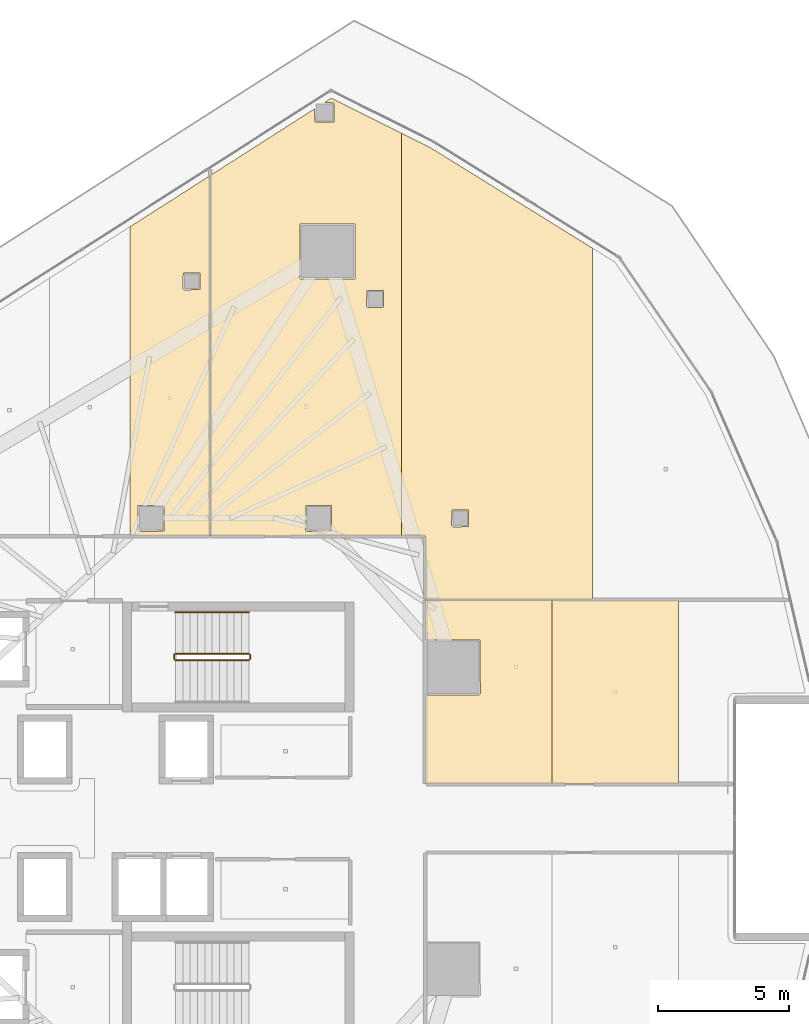
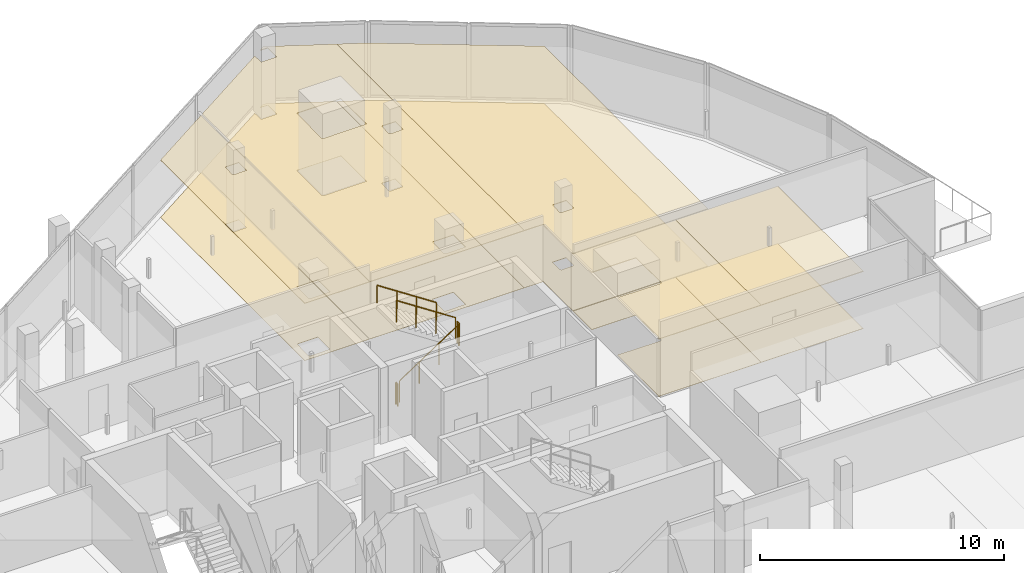
# One storey, part 36 of 37: 10 coverings, 5 railings.
"""IFC4 building model written with IfcOpenShell, lengths in metres."""

from ifc_helpers import new_model, si_unit, direction, frame, origin, origin_2d, place, context, subcontext, project, spatial, polyline, circle, outline, extrude, material, layer, layer_set, type_object, element, save


model = new_model("IFC4")

# Units and contexts
model_context = context("Model", 3, precision=1e-05, world=origin(), true_north=direction((0.0, 1.0)))
body_context = subcontext(model_context, "Body", "Model", "MODEL_VIEW")
ifc_project = project(units=[si_unit("LENGTHUNIT", "METRE"), si_unit("AREAUNIT", "SQUARE_METRE"), si_unit("VOLUMEUNIT", "CUBIC_METRE"), si_unit("PLANEANGLEUNIT", "RADIAN"), si_unit("MASSUNIT", "GRAM", prefix="KILO")], contexts=[model_context])

# Site, building, storey
site_placement = place(None, origin())
site = spatial("IfcSite", under=ifc_project, at=site_placement, CompositionType="ELEMENT")
building_placement = place(site_placement, origin())
building = spatial("IfcBuilding", under=site, at=building_placement, Name="Qorvath Tower", CompositionType="ELEMENT")
storey_placement = place(building_placement, frame((0.0, 0.0, 196.949951171875)))
storey = spatial("IfcBuildingStorey", under=building, at=storey_placement, Name="L45", CompositionType="ELEMENT", Elevation=196.949951171875)

# Coverings
ifc_material_1 = material(Name="Acoustic mineral fibre ceiling tile", Category="gypsum")
ifc_layer_1 = layer(ifc_material_1, 0.030029296875)
ifc_layer_set_1 = layer_set([ifc_layer_1], Name="COV-CEIL")
covering_type_1 = type_object("IfcCoveringType", Name="COV-CEIL", PredefinedType="CEILING", material=ifc_layer_set_1)
covering_1_placement = place(storey_placement, frame((0.0, 0.0, 2.85009765625)))
element("IfcCovering", 1, at=covering_1_placement, inside=storey, type_object=covering_type_1, Name="L45 Suspended Acoustic Ceiling 016", PredefinedType="CEILING", context=body_context, shape_type="SweptSolid", body=[
    extrude(outline(polyline([(-24.4140625, 22.565673828125), (-24.4140625, 10.762939453125), (-21.35107421875, 10.762939453125), (-21.35107421875, 24.523193359375), (-24.4140625, 22.565673828125)]), holes=[polyline([(-22.38818359375, 20.219970703125), (-22.37060546875, 20.812255859375), (-21.73583984375, 20.812255859375), (-21.73583984375, 20.177490234375), (-22.328125, 20.159912109375), (-22.38818359375, 20.219970703125)]), polyline([(-24.110107421875, 11.0), (-24.092529296875, 11.9423828125), (-23.107666015625, 11.9423828125), (-23.107666015625, 10.95751953125), (-24.050048828125, 10.93994140625), (-24.110107421875, 11.0)])]), origin(), (0.0, 0.0, 1.0), 0.030029296875),
])
covering_2_placement = place(storey_placement, frame((0.0, 0.0, 2.85009765625)))
element("IfcCovering", 2, at=covering_2_placement, inside=storey, type_object=covering_type_1, Name="L45 Suspended Acoustic Ceiling 017", PredefinedType="CEILING", context=body_context, shape_type="SweptSolid", body=[
    extrude(outline(polyline([(-14.041015625, 10.762939453125), (-14.041015625, 26.135009765625), (-16.7275390625, 27.478271484375), (-16.984130859375, 27.314208984375), (-16.61376953125, 27.296630859375), (-16.61376953125, 26.561767578125), (-17.3486328125, 26.561767578125), (-17.3662109375, 27.070068359375), (-21.3330078125, 24.53466796875), (-21.3330078125, 10.762939453125), (-14.041015625, 10.762939453125)]), holes=[polyline([(-15.381103515625, 19.543212890625), (-15.363525390625, 20.135498046875), (-14.728759765625, 20.135498046875), (-14.728759765625, 19.500732421875), (-15.321044921875, 19.483154296875), (-15.381103515625, 19.543212890625)]), polyline([(-17.931640625, 20.627197265625), (-17.9140625, 22.66943359375), (-15.829345703125, 22.66943359375), (-15.829345703125, 20.584716796875), (-17.87158203125, 20.567138671875), (-17.931640625, 20.627197265625)]), polyline([(-17.7099609375, 11.0), (-17.6923828125, 11.9423828125), (-16.70751953125, 11.9423828125), (-16.70751953125, 10.95751953125), (-17.64990234375, 10.93994140625), (-17.7099609375, 11.0)])]), origin(), (0.0, 0.0, 1.0), 0.030029296875),
])
covering_3_placement = place(storey_placement, frame((0.0, 0.0, 2.85009765625)))
element("IfcCovering", 3, at=covering_3_placement, inside=storey, type_object=covering_type_1, Name="L45 Suspended Acoustic Ceiling 018", PredefinedType="CEILING", context=body_context, shape_type="SweptSolid", body=[
    extrude(outline(polyline([(-6.749267578125, 8.347412109375), (-6.749267578125, 21.748779296875), (-12.900390625, 25.564697265625), (-14.041015625, 26.135009765625), (-14.041015625, 10.762939453125), (-13.14208984375, 10.762939453125), (-13.136962890625, 8.35498046875), (-6.749267578125, 8.347412109375)]), holes=[polyline([(-12.135009765625, 11.175048828125), (-12.117431640625, 11.767333984375), (-11.482666015625, 11.767333984375), (-11.482666015625, 11.132568359375), (-12.074951171875, 11.114990234375), (-12.135009765625, 11.175048828125)])]), origin(), (0.0, 0.0, 1.0), 0.030029296875),
])
covering_4_placement = place(storey_placement, frame((0.0, 0.0, 2.85009765625)))
element("IfcCovering", 4, at=covering_4_placement, inside=storey, type_object=covering_type_1, Name="L45 Suspended Acoustic Ceiling 031", PredefinedType="CEILING", context=body_context, shape_type="SweptSolid", body=[
    extrude(outline(polyline([(-8.3037109375, 1.31298828125), (-8.3037109375, 8.3310546875), (-13.136962890625, 8.3369140625), (-13.136962890625, 6.80126953125), (-11.054443359375, 6.80029296875), (-11.036865234375, 4.7578125), (-11.0966796875, 4.697998046875), (-13.136962890625, 4.714599609375), (-13.136962890625, 1.31298828125), (-8.3037109375, 1.31298828125)])), origin(), (0.0, 0.0, 1.0), 0.030029296875),
])
covering_5_placement = place(storey_placement, frame((0.0, 0.0, 2.85009765625)))
element("IfcCovering", 5, at=covering_5_placement, inside=storey, type_object=covering_type_1, Name="L45 Suspended Acoustic Ceiling 032", PredefinedType="CEILING", context=body_context, shape_type="SweptSolid", body=[
    extrude(outline(polyline([(-3.47021484375, 1.31298828125), (-3.47021484375, 8.325439453125), (-8.3037109375, 8.3310546875), (-8.3037109375, 1.31298828125), (-3.47021484375, 1.31298828125)])), origin(), (0.0, 0.0, 1.0), 0.030029296875),
])
ifc_material_2 = material(Name="Low-VOC modular carpet tile", Category="textile")
ifc_layer_2 = layer(ifc_material_2, 0.014892578125)
ifc_layer_set_2 = layer_set([ifc_layer_2], Name="COV-FLOOR-CPT")
covering_type_2 = type_object("IfcCoveringType", Name="COV-FLOOR-CPT", PredefinedType="FLOORING", material=ifc_layer_set_2)
covering_6_placement = place(storey_placement, origin())
element("IfcCovering", 6, at=covering_6_placement, inside=storey, type_object=covering_type_2, Name="L45 Floor Finish 016", PredefinedType="FLOORING", context=body_context, shape_type="SweptSolid", body=[
    extrude(outline(polyline([(-24.4140625, 22.565673828125), (-24.4140625, 10.762939453125), (-21.35107421875, 10.762939453125), (-21.35107421875, 24.523193359375), (-24.4140625, 22.565673828125)]), holes=[polyline([(-22.38818359375, 20.219970703125), (-22.37060546875, 20.812255859375), (-21.73583984375, 20.812255859375), (-21.73583984375, 20.177490234375), (-22.328125, 20.159912109375), (-22.38818359375, 20.219970703125)]), polyline([(-24.110107421875, 11.0), (-24.092529296875, 11.9423828125), (-23.107666015625, 11.9423828125), (-23.107666015625, 10.95751953125), (-24.050048828125, 10.93994140625), (-24.110107421875, 11.0)])]), origin(), (0.0, 0.0, 1.0), 0.01513671875),
])
covering_7_placement = place(storey_placement, origin())
element("IfcCovering", 7, at=covering_7_placement, inside=storey, type_object=covering_type_2, Name="L45 Floor Finish 017", PredefinedType="FLOORING", context=body_context, shape_type="SweptSolid", body=[
    extrude(outline(polyline([(-14.041015625, 10.762939453125), (-14.041015625, 26.135009765625), (-16.7275390625, 27.478271484375), (-16.984130859375, 27.314208984375), (-16.61376953125, 27.296630859375), (-16.61376953125, 26.561767578125), (-17.3486328125, 26.561767578125), (-17.3662109375, 27.070068359375), (-21.3330078125, 24.53466796875), (-21.3330078125, 10.762939453125), (-14.041015625, 10.762939453125)]), holes=[polyline([(-15.381103515625, 19.543212890625), (-15.363525390625, 20.135498046875), (-14.728759765625, 20.135498046875), (-14.728759765625, 19.500732421875), (-15.321044921875, 19.483154296875), (-15.381103515625, 19.543212890625)]), polyline([(-17.931640625, 20.627197265625), (-17.9140625, 22.66943359375), (-15.829345703125, 22.66943359375), (-15.829345703125, 20.584716796875), (-17.87158203125, 20.567138671875), (-17.931640625, 20.627197265625)]), polyline([(-17.7099609375, 11.0), (-17.6923828125, 11.9423828125), (-16.70751953125, 11.9423828125), (-16.70751953125, 10.95751953125), (-17.64990234375, 10.93994140625), (-17.7099609375, 11.0)])]), origin(), (0.0, 0.0, 1.0), 0.01513671875),
])
covering_8_placement = place(storey_placement, origin())
element("IfcCovering", 8, at=covering_8_placement, inside=storey, type_object=covering_type_2, Name="L45 Floor Finish 018", PredefinedType="FLOORING", context=body_context, shape_type="SweptSolid", body=[
    extrude(outline(polyline([(-6.749267578125, 8.347412109375), (-6.749267578125, 21.748779296875), (-12.900390625, 25.564697265625), (-14.041015625, 26.135009765625), (-14.041015625, 10.762939453125), (-13.14208984375, 10.762939453125), (-13.136962890625, 8.35498046875), (-6.749267578125, 8.347412109375)]), holes=[polyline([(-12.135009765625, 11.175048828125), (-12.117431640625, 11.767333984375), (-11.482666015625, 11.767333984375), (-11.482666015625, 11.132568359375), (-12.074951171875, 11.114990234375), (-12.135009765625, 11.175048828125)])]), origin(), (0.0, 0.0, 1.0), 0.01513671875),
])
covering_9_placement = place(storey_placement, origin())
element("IfcCovering", 9, at=covering_9_placement, inside=storey, type_object=covering_type_2, Name="L45 Floor Finish 031", PredefinedType="FLOORING", context=body_context, shape_type="SweptSolid", body=[
    extrude(outline(polyline([(-8.3037109375, 1.31298828125), (-8.3037109375, 8.3310546875), (-13.136962890625, 8.3369140625), (-13.136962890625, 6.80126953125), (-11.054443359375, 6.80029296875), (-11.036865234375, 4.7578125), (-11.0966796875, 4.697998046875), (-13.136962890625, 4.714599609375), (-13.136962890625, 1.31298828125), (-8.3037109375, 1.31298828125)])), origin(), (0.0, 0.0, 1.0), 0.01513671875),
])
covering_10_placement = place(storey_placement, origin())
element("IfcCovering", 10, at=covering_10_placement, inside=storey, type_object=covering_type_2, Name="L45 Floor Finish 032", PredefinedType="FLOORING", context=body_context, shape_type="SweptSolid", body=[
    extrude(outline(polyline([(-3.47021484375, 1.31298828125), (-3.47021484375, 8.325439453125), (-8.3037109375, 8.3310546875), (-8.3037109375, 1.31298828125), (-3.47021484375, 1.31298828125)])), origin(), (0.0, 0.0, 1.0), 0.01513671875),
])

# Railings
ifc_material_3 = material(Name="Painted galvanised steel", Category="steel")
railing_type_1 = type_object("IfcRailingType", Name="RL-STR-GRD", PredefinedType="GUARDRAIL", material=ifc_material_3)
railing_1_placement = place(storey_placement, frame((-22.669921875, 6.030029296875, 0.18408203125)))
element("IfcRailing", 11, at=railing_1_placement, inside=storey, type_object=railing_type_1, Name="L45 TS1 stair guard 1", PredefinedType="GUARDRAIL", context=body_context, shape_type="SweptSolid", body=[
    extrude(circle(Radius=0.02392578125, at=origin_2d()), frame((0.0, 0.0, 1.076171875), z_axis=(0.835542071712, 0.0, 0.549426470421), x_axis=(0.0, 1.0, 0.0)), (0.0, 0.0, 1.0), 3.350830078125),
    extrude(circle(Radius=0.02099609375, at=origin_2d()), origin(), (0.0, 0.0, 1.0), 1.052001953125),
    extrude(circle(Radius=0.02099609375, at=origin_2d()), frame((0.933349609375, 0.0, 0.61376953125)), (0.0, 0.0, 1.0), 1.052001953125),
    extrude(circle(Radius=0.02099609375, at=origin_2d()), frame((1.866455078125, 0.0, 1.227294921875)), (0.0, 0.0, 1.0), 1.052001953125),
    extrude(circle(Radius=0.02099609375, at=origin_2d()), frame((2.7998046875, 0.0, 1.841064453125)), (0.0, 0.0, 1.0), 1.052001953125),
])
railing_2_placement = place(storey_placement, frame((-19.820068359375, 6.080078125, 2.025146484375)))
element("IfcRailing", 12, at=railing_2_placement, inside=storey, type_object=railing_type_1, Name="L45 TS1 stair guard 2", PredefinedType="GUARDRAIL", context=body_context, shape_type="SweptSolid", body=[
    extrude(circle(Radius=0.02392578125, at=origin_2d()), frame((0.0, 0.0, 1.076171875), z_axis=(0.0, 1.0, 0.0), x_axis=(-1.0, 0.0, 0.0)), (0.0, 0.0, 1.0), 0.14990234375),
    extrude(circle(Radius=0.02099609375, at=origin_2d()), origin(), (0.0, 0.0, 1.0), 1.052001953125),
    extrude(circle(Radius=0.02099609375, at=origin_2d()), frame((0.0, 0.14990234375, 0.0)), (0.0, 0.0, 1.0), 1.052001953125),
])
railing_3_placement = place(storey_placement, frame((-19.8701171875, 6.280029296875, 2.209228515625)))
element("IfcRailing", 13, at=railing_3_placement, inside=storey, type_object=railing_type_1, Name="L45 TS1 stair guard 3", PredefinedType="GUARDRAIL", context=body_context, shape_type="SweptSolid", body=[
    extrude(circle(Radius=0.02392578125, at=origin_2d()), frame((0.0, 0.0, 1.076171875), z_axis=(-0.835575518608, 0.0, 0.549375602573), x_axis=(0.0, -1.0, 0.0)), (0.0, 0.0, 1.0), 3.350830078125),
    extrude(circle(Radius=0.02099609375, at=origin_2d()), origin(), (0.0, 0.0, 1.0), 1.052001953125),
    extrude(circle(Radius=0.02099609375, at=origin_2d()), frame((-0.933349609375, 0.0, 0.613525390625)), (0.0, 0.0, 1.0), 1.052001953125),
    extrude(circle(Radius=0.02099609375, at=origin_2d()), frame((-1.866455078125, 0.0, 1.227294921875)), (0.0, 0.0, 1.0), 1.052001953125),
    extrude(circle(Radius=0.02099609375, at=origin_2d()), frame((-2.7998046875, 0.0, 1.8408203125)), (0.0, 0.0, 1.0), 1.052001953125),
])
railing_4_placement = place(storey_placement, frame((-22.719970703125, 6.080078125, 0.0)))
element("IfcRailing", 14, at=railing_4_placement, inside=storey, type_object=railing_type_1, Name="L45 TS1 stair guard 4", PredefinedType="GUARDRAIL", context=body_context, shape_type="SweptSolid", body=[
    extrude(circle(Radius=0.02392578125, at=origin_2d()), frame((0.0, 0.0, 1.076171875), z_axis=(0.0, 1.0, 0.0), x_axis=(-1.0, 0.0, 0.0)), (0.0, 0.0, 1.0), 0.14990234375),
    extrude(circle(Radius=0.02099609375, at=origin_2d()), origin(), (0.0, 0.0, 1.0), 1.052001953125),
    extrude(circle(Radius=0.02099609375, at=origin_2d()), frame((0.0, 0.14990234375, 0.0)), (0.0, 0.0, 1.0), 1.052001953125),
])
ifc_material_4 = material(Name="Brushed stainless steel AISI 304", Category="steel")
railing_type_2 = type_object("IfcRailingType", Name="RL-STR-HND", PredefinedType="HANDRAIL", material=ifc_material_4)
railing_5_placement = place(storey_placement, frame((-19.8701171875, 7.860107421875, 2.209228515625)))
element("IfcRailing", 15, at=railing_5_placement, inside=storey, type_object=railing_type_2, Name="L45 TS1 stair handrail 2", PredefinedType="HANDRAIL", context=body_context, shape_type="SweptSolid", body=[
    extrude(circle(Radius=0.02392578125, at=origin_2d()), frame((0.0, 0.0, 0.8759765625), z_axis=(-0.835575518608, 0.0, 0.549375602573), x_axis=(0.0, -1.0, 0.0)), (0.0, 0.0, 1.0), 3.350830078125),
    extrude(circle(Radius=0.02099609375, at=origin_2d()), origin(), (0.0, 0.0, 1.0), 0.851806640625),
    extrude(circle(Radius=0.02099609375, at=origin_2d()), frame((-0.933349609375, 0.0, 0.613525390625)), (0.0, 0.0, 1.0), 0.851806640625),
    extrude(circle(Radius=0.02099609375, at=origin_2d()), frame((-1.866455078125, 0.0, 1.227294921875)), (0.0, 0.0, 1.0), 0.851806640625),
    extrude(circle(Radius=0.02099609375, at=origin_2d()), frame((-2.7998046875, 0.0, 1.8408203125)), (0.0, 0.0, 1.0), 0.851806640625),
])

save(model, "model.ifc")
